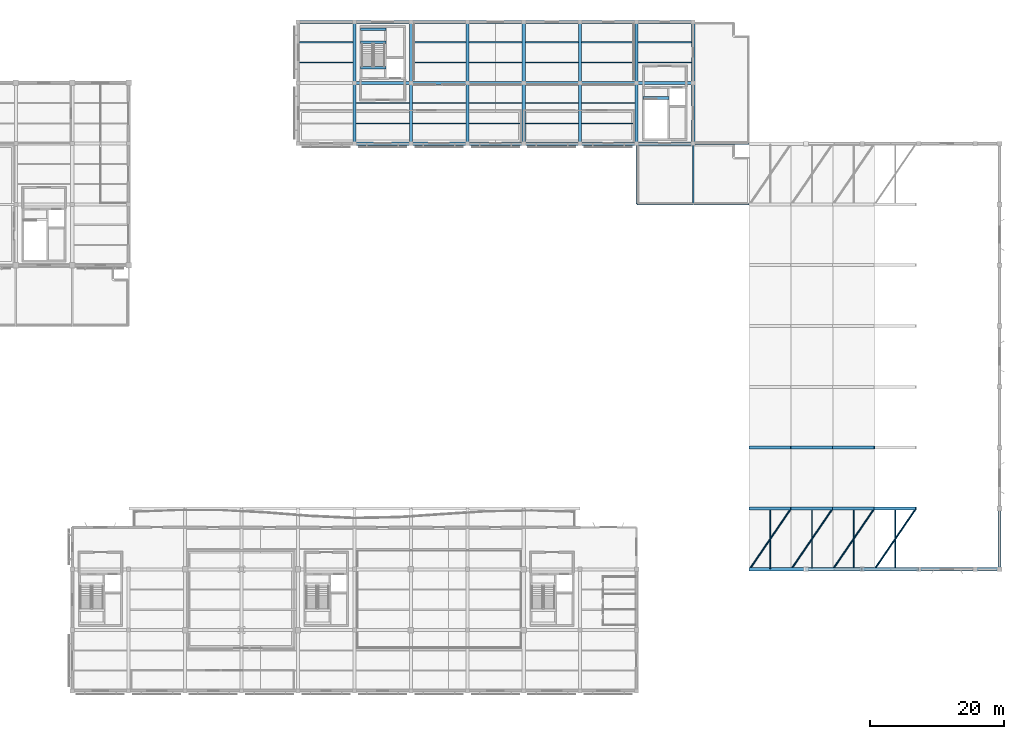
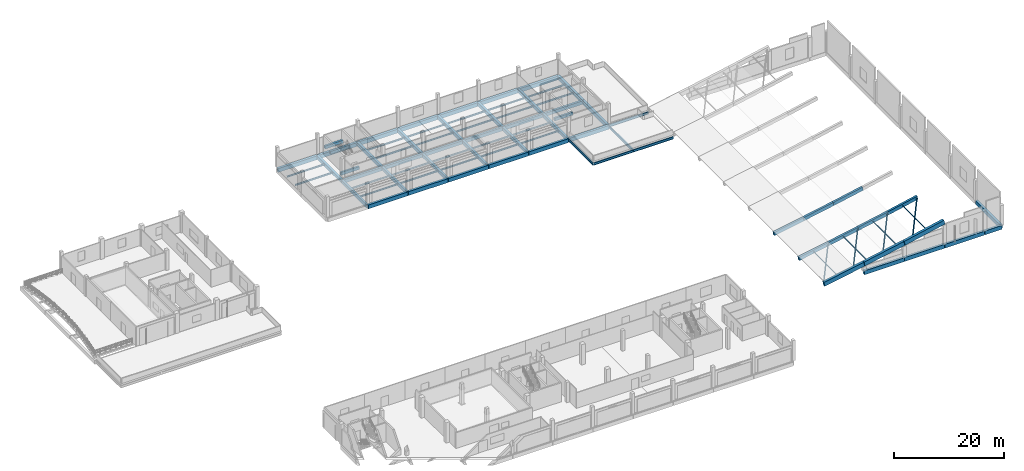
# One storey, part 3 of 34: 79 beams, 8 members.
"""IFC4 building model written with IfcOpenShell, lengths in metres."""

from ifc_helpers import new_model, si_unit, direction, frame, origin, origin_2d, place, context, subcontext, project, spatial, rectangle, hollow_circle, i_section, extrude, material, material_profile, profile_set, type_object, element, save


model = new_model("IFC4")

# Units and contexts
model_context = context("Model", 3, precision=1e-05, world=origin(), true_north=direction((0.0, 1.0)))
body_context = subcontext(model_context, "Body", "Model", "MODEL_VIEW")
ifc_project = project(units=[si_unit("LENGTHUNIT", "METRE"), si_unit("AREAUNIT", "SQUARE_METRE"), si_unit("VOLUMEUNIT", "CUBIC_METRE"), si_unit("PLANEANGLEUNIT", "RADIAN"), si_unit("MASSUNIT", "GRAM", prefix="KILO")], contexts=[model_context])

# Site, building, storey
site_placement = place(None, origin())
site = spatial("IfcSite", under=ifc_project, at=site_placement, CompositionType="ELEMENT")
building_placement = place(site_placement, origin())
building = spatial("IfcBuilding", under=site, at=building_placement, Name="Khurvash Pelagic Aquarium", CompositionType="ELEMENT")
storey_placement = place(building_placement, frame((0.0, 0.0, 15.60009765625)))
storey = spatial("IfcBuildingStorey", under=building, at=storey_placement, Name="L03", CompositionType="ELEMENT", Elevation=15.60009765625)

# Beams
ifc_material_1 = material(Name="Concrete C35/45", Category="concrete")
ifc_material_profile_1 = material_profile(ifc_material_1, rectangle(XDim=0.449951171875, YDim=0.75, at=origin_2d()), Name="RC450X750")
ifc_profile_set_1 = profile_set([ifc_material_profile_1], Name="Concrete C35/45")
beam_type_1 = type_object("IfcBeamType", Name="BM-04", PredefinedType="BEAM", material=ifc_profile_set_1)
for number, where, z_axis, x_axis, name in (
    (1, (67.239990234375, 93.10009765625, -0.695068359375), (1.0, 0.0, 0.0), (0.0, 1.0, 0.0), "L03 Primary Girder BM-04 00889"),
    (2, (75.639892578125, 93.10009765625, -0.695068359375), (1.0, 0.0, 0.0), (0.0, 1.0, 0.0), "L03 Primary Girder BM-04 00890"),
    (3, (84.0400390625, 93.10009765625, -0.695068359375), (1.0, 0.0, 0.0), (0.0, 1.0, 0.0), "L03 Primary Girder BM-04 00891"),
    (4, (92.43994140625, 93.10009765625, -0.695068359375), (1.0, 0.0, 0.0), (0.0, 1.0, 0.0), "L03 Primary Girder BM-04 00892"),
):
    element("IfcBeam", number, at=place(storey_placement, frame(where, z_axis=z_axis, x_axis=x_axis)), inside=storey, type_object=beam_type_1, Name=name, PredefinedType="BEAM", context=body_context, shape_type="SweptSolid", body=[
        extrude(rectangle(XDim=0.449951171875, YDim=0.75, at=origin_2d()), origin(), (0.0, 0.0, 1.0), 8.320068359375),
    ])
beam_1_placement = place(storey_placement, frame((100.840087890625, 93.10009765625, -0.695068359375), z_axis=(1.0, 0.0, 0.0), x_axis=(0.0, 1.0, 0.0)))
element("IfcBeam", 5, at=beam_1_placement, inside=storey, type_object=beam_type_1, Name="L03 Primary Girder BM-04 00893", PredefinedType="BEAM", context=body_context, shape_type="SweptSolid", body=[
    extrude(rectangle(XDim=0.449951171875, YDim=0.75, at=origin_2d()), origin(), (0.0, 0.0, 1.0), 8.31982421875),
])
beam_2_placement = place(storey_placement, frame((109.239990234375, 93.10009765625, -0.695068359375), z_axis=(1.0, 0.0, 0.0), x_axis=(0.0, 1.0, 0.0)))
element("IfcBeam", 6, at=beam_2_placement, inside=storey, type_object=beam_type_1, Name="L03 Primary Girder BM-04 00894", PredefinedType="BEAM", context=body_context, shape_type="SweptSolid", body=[
    extrude(rectangle(XDim=0.449951171875, YDim=0.75, at=origin_2d()), origin(), (0.0, 0.0, 1.0), 8.320068359375),
])
beam_3_placement = place(storey_placement, frame((67.199951171875, 84.090087890625, -0.675048828125), z_axis=(0.0, 1.0, 0.0), x_axis=(-1.0, 0.0, 0.0)))
element("IfcBeam", 7, at=beam_3_placement, inside=storey, type_object=beam_type_1, Name="L03 Primary Girder BM-04 00933", PredefinedType="BEAM", context=body_context, shape_type="SweptSolid", body=[
    extrude(rectangle(XDim=0.449951171875, YDim=0.75, at=origin_2d()), origin(), (0.0, 0.0, 1.0), 8.969970703125),
])
beam_4_placement = place(storey_placement, frame((67.199951171875, 93.139892578125, -0.675048828125), z_axis=(0.0, 1.0, 0.0), x_axis=(-1.0, 0.0, 0.0)))
element("IfcBeam", 8, at=beam_4_placement, inside=storey, type_object=beam_type_1, Name="L03 Primary Girder BM-04 00934", PredefinedType="BEAM", context=body_context, shape_type="SweptSolid", body=[
    extrude(rectangle(XDim=0.449951171875, YDim=0.75, at=origin_2d()), origin(), (0.0, 0.0, 1.0), 8.97021484375),
])
beam_5_placement = place(storey_placement, frame((75.60009765625, 84.090087890625, -0.675048828125), z_axis=(0.0, 1.0, 0.0), x_axis=(-1.0, 0.0, 0.0)))
element("IfcBeam", 9, at=beam_5_placement, inside=storey, type_object=beam_type_1, Name="L03 Primary Girder BM-04 00938", PredefinedType="BEAM", context=body_context, shape_type="SweptSolid", body=[
    extrude(rectangle(XDim=0.449951171875, YDim=0.75, at=origin_2d()), origin(), (0.0, 0.0, 1.0), 8.969970703125),
])
beam_6_placement = place(storey_placement, frame((75.60009765625, 93.139892578125, -0.675048828125), z_axis=(0.0, 1.0, 0.0), x_axis=(-1.0, 0.0, 0.0)))
element("IfcBeam", 10, at=beam_6_placement, inside=storey, type_object=beam_type_1, Name="L03 Primary Girder BM-04 00939", PredefinedType="BEAM", context=body_context, shape_type="SweptSolid", body=[
    extrude(rectangle(XDim=0.449951171875, YDim=0.75, at=origin_2d()), origin(), (0.0, 0.0, 1.0), 8.97021484375),
])
beam_7_placement = place(storey_placement, frame((84.0, 84.090087890625, -0.675048828125), z_axis=(0.0, 1.0, 0.0), x_axis=(-1.0, 0.0, 0.0)))
element("IfcBeam", 11, at=beam_7_placement, inside=storey, type_object=beam_type_1, Name="L03 Primary Girder BM-04 00943", PredefinedType="BEAM", context=body_context, shape_type="SweptSolid", body=[
    extrude(rectangle(XDim=0.449951171875, YDim=0.75, at=origin_2d()), origin(), (0.0, 0.0, 1.0), 8.969970703125),
])
beam_8_placement = place(storey_placement, frame((84.0, 93.139892578125, -0.675048828125), z_axis=(0.0, 1.0, 0.0), x_axis=(-1.0, 0.0, 0.0)))
element("IfcBeam", 12, at=beam_8_placement, inside=storey, type_object=beam_type_1, Name="L03 Primary Girder BM-04 00944", PredefinedType="BEAM", context=body_context, shape_type="SweptSolid", body=[
    extrude(rectangle(XDim=0.449951171875, YDim=0.75, at=origin_2d()), origin(), (0.0, 0.0, 1.0), 8.97021484375),
])
beam_9_placement = place(storey_placement, frame((92.39990234375, 84.090087890625, -0.675048828125), z_axis=(0.0, 1.0, 0.0), x_axis=(-1.0, 0.0, 0.0)))
element("IfcBeam", 13, at=beam_9_placement, inside=storey, type_object=beam_type_1, Name="L03 Primary Girder BM-04 00948", PredefinedType="BEAM", context=body_context, shape_type="SweptSolid", body=[
    extrude(rectangle(XDim=0.449951171875, YDim=0.75, at=origin_2d()), origin(), (0.0, 0.0, 1.0), 8.969970703125),
])
beam_10_placement = place(storey_placement, frame((92.39990234375, 93.139892578125, -0.675048828125), z_axis=(0.0, 1.0, 0.0), x_axis=(-1.0, 0.0, 0.0)))
element("IfcBeam", 14, at=beam_10_placement, inside=storey, type_object=beam_type_1, Name="L03 Primary Girder BM-04 00949", PredefinedType="BEAM", context=body_context, shape_type="SweptSolid", body=[
    extrude(rectangle(XDim=0.449951171875, YDim=0.75, at=origin_2d()), origin(), (0.0, 0.0, 1.0), 8.97021484375),
])
beam_11_placement = place(storey_placement, frame((100.800048828125, 84.090087890625, -0.675048828125), z_axis=(0.0, 1.0, 0.0), x_axis=(-1.0, 0.0, 0.0)))
element("IfcBeam", 15, at=beam_11_placement, inside=storey, type_object=beam_type_1, Name="L03 Primary Girder BM-04 00952", PredefinedType="BEAM", context=body_context, shape_type="SweptSolid", body=[
    extrude(rectangle(XDim=0.449951171875, YDim=0.75, at=origin_2d()), origin(), (0.0, 0.0, 1.0), 8.969970703125),
])
beam_12_placement = place(storey_placement, frame((100.800048828125, 93.139892578125, -0.675048828125), z_axis=(0.0, 1.0, 0.0), x_axis=(-1.0, 0.0, 0.0)))
element("IfcBeam", 16, at=beam_12_placement, inside=storey, type_object=beam_type_1, Name="L03 Primary Girder BM-04 00953", PredefinedType="BEAM", context=body_context, shape_type="SweptSolid", body=[
    extrude(rectangle(XDim=0.449951171875, YDim=0.75, at=origin_2d()), origin(), (0.0, 0.0, 1.0), 8.97021484375),
])
beam_13_placement = place(storey_placement, frame((109.199951171875, 84.090087890625, -0.675048828125), z_axis=(0.0, 1.0, 0.0), x_axis=(-1.0, 0.0, 0.0)))
element("IfcBeam", 17, at=beam_13_placement, inside=storey, type_object=beam_type_1, Name="L03 Primary Girder BM-04 00956", PredefinedType="BEAM", context=body_context, shape_type="SweptSolid", body=[
    extrude(rectangle(XDim=0.449951171875, YDim=0.75, at=origin_2d()), origin(), (0.0, 0.0, 1.0), 8.969970703125),
])
beam_14_placement = place(storey_placement, frame((109.199951171875, 93.139892578125, -0.675048828125), z_axis=(0.0, 1.0, 0.0), x_axis=(-1.0, 0.0, 0.0)))
element("IfcBeam", 18, at=beam_14_placement, inside=storey, type_object=beam_type_1, Name="L03 Primary Girder BM-04 00957", PredefinedType="BEAM", context=body_context, shape_type="SweptSolid", body=[
    extrude(rectangle(XDim=0.449951171875, YDim=0.75, at=origin_2d()), origin(), (0.0, 0.0, 1.0), 8.97021484375),
])
ifc_material_profile_2 = material_profile(ifc_material_1, rectangle(XDim=0.39990234375, YDim=0.64990234375, at=origin_2d()), Name="RC400X650")
ifc_profile_set_2 = profile_set([ifc_material_profile_2], Name="Concrete C35/45")
beam_type_2 = type_object("IfcBeamType", Name="BM-05", PredefinedType="BEAM", material=ifc_profile_set_2)
for number, where, z_axis, x_axis, name in (
    (19, (68.080078125, 95.320068359375, -0.625), (1.0, 0.0, 0.0), (0.0, 1.0, 0.0), "L03 Stair ST-04 Header Trimmer Beam BM-05"),
    (20, (68.080078125, 99.139892578125, 1.724853515625), (1.0, 0.0, 0.0), (0.0, 1.0, 0.0), "L03 Stair ST-04 Mid-Landing Trimmer Beam BM-05"),
    (21, (68.080078125, 101.080078125, 1.724853515625), (1.0, 0.0, 0.0), (0.0, 1.0, 0.0), "L03 Stair ST-04 Mid-Landing Trimmer Beam BM-05"),
):
    element("IfcBeam", number, at=place(storey_placement, frame(where, z_axis=z_axis, x_axis=x_axis)), inside=storey, type_object=beam_type_2, Name=name, PredefinedType="BEAM", context=body_context, shape_type="SweptSolid", body=[
        extrude(rectangle(XDim=0.39990234375, YDim=0.64990234375, at=origin_2d()), origin(), (0.0, 0.0, 1.0), 3.83984375),
    ])
beam_15_placement = place(storey_placement, frame((110.179931640625, 90.830078125, -0.625), z_axis=(1.0, 0.0, 0.0), x_axis=(0.0, 1.0, 0.0)))
element("IfcBeam", 22, at=beam_15_placement, inside=storey, type_object=beam_type_2, Name="L03 Stair ST-06 Header Trimmer Beam BM-05", PredefinedType="BEAM", context=body_context, shape_type="SweptSolid", body=[
    extrude(rectangle(XDim=0.39990234375, YDim=0.64990234375, at=origin_2d()), origin(), (0.0, 0.0, 1.0), 3.840087890625),
])
ifc_material_2 = material(Name="Steel-fibre concrete C40/50", Category="concrete")
ifc_material_profile_3 = material_profile(ifc_material_2, rectangle(XDim=0.449951171875, YDim=0.75, at=origin_2d()), Name="RC450X750")
ifc_profile_set_3 = profile_set([ifc_material_profile_3], Name="Steel-fibre concrete C40/50")
beam_type_3 = type_object("IfcBeamType", Name="BM-06", PredefinedType="BEAM", material=ifc_profile_set_3)
beam_16_placement = place(storey_placement, frame((126.010009765625, 29.75, 0.072998046875), z_axis=(0.983411085361, 0.0, 0.181390840973), x_axis=(0.0, 1.0, 0.0)))
element("IfcBeam", 23, at=beam_16_placement, inside=storey, type_object=beam_type_3, Name="Wave Shell Arch Rib BM-06 Grid E Seg 1", PredefinedType="BEAM", context=body_context, shape_type="SweptSolid", body=[
    extrude(rectangle(XDim=0.449951171875, YDim=0.75, at=origin_2d()), origin(), (0.0, 0.0, 1.0), 6.2841796875),
])
beam_17_placement = place(storey_placement, frame((132.2099609375, 29.75, 1.212890625), z_axis=(0.982256617998, 0.0, 0.187541825733), x_axis=(0.0, 1.0, 0.0)))
element("IfcBeam", 24, at=beam_17_placement, inside=storey, type_object=beam_type_3, Name="Wave Shell Arch Rib BM-06 Grid E Seg 2", PredefinedType="BEAM", context=body_context, shape_type="SweptSolid", body=[
    extrude(rectangle(XDim=0.449951171875, YDim=0.75, at=origin_2d()), origin(), (0.0, 0.0, 1.0), 6.29150390625),
])
beam_18_placement = place(storey_placement, frame((138.409912109375, 29.75, 2.392822265625), z_axis=(0.980459825259, 0.0, 0.196719422157), x_axis=(0.0, 1.0, 0.0)))
element("IfcBeam", 25, at=beam_18_placement, inside=storey, type_object=beam_type_3, Name="Wave Shell Arch Rib BM-06 Grid E Seg 3", PredefinedType="BEAM", context=body_context, shape_type="SweptSolid", body=[
    extrude(rectangle(XDim=0.449951171875, YDim=0.75, at=origin_2d()), origin(), (0.0, 0.0, 1.0), 6.30322265625),
])
beam_19_placement = place(storey_placement, frame((144.610107421875, 29.75, 3.6328125), z_axis=(0.977938462299, 0.0, 0.208893187913), x_axis=(0.0, 1.0, 0.0)))
element("IfcBeam", 26, at=beam_19_placement, inside=storey, type_object=beam_type_3, Name="Wave Shell Arch Rib BM-06 Grid E Seg 4", PredefinedType="BEAM", context=body_context, shape_type="SweptSolid", body=[
    extrude(rectangle(XDim=0.449951171875, YDim=0.75, at=origin_2d()), origin(), (0.0, 0.0, 1.0), 6.3193359375),
])
beam_20_placement = place(storey_placement, frame((126.010009765625, 38.800048828125, 0.072998046875), z_axis=(0.983411085361, 0.0, 0.181390840973), x_axis=(0.0, 1.0, 0.0)))
element("IfcBeam", 27, at=beam_20_placement, inside=storey, type_object=beam_type_3, Name="Wave Shell Arch Rib BM-06 Grid F Seg 1", PredefinedType="BEAM", context=body_context, shape_type="SweptSolid", body=[
    extrude(rectangle(XDim=0.449951171875, YDim=0.75, at=origin_2d()), origin(), (0.0, 0.0, 1.0), 6.2841796875),
])
beam_21_placement = place(storey_placement, frame((132.2099609375, 38.800048828125, 1.212890625), z_axis=(0.982256617998, 0.0, 0.187541825733), x_axis=(0.0, 1.0, 0.0)))
element("IfcBeam", 28, at=beam_21_placement, inside=storey, type_object=beam_type_3, Name="Wave Shell Arch Rib BM-06 Grid F Seg 2", PredefinedType="BEAM", context=body_context, shape_type="SweptSolid", body=[
    extrude(rectangle(XDim=0.449951171875, YDim=0.75, at=origin_2d()), origin(), (0.0, 0.0, 1.0), 6.29150390625),
])
beam_22_placement = place(storey_placement, frame((138.409912109375, 38.800048828125, 2.392822265625), z_axis=(0.980459825259, 0.0, 0.196719422157), x_axis=(0.0, 1.0, 0.0)))
element("IfcBeam", 29, at=beam_22_placement, inside=storey, type_object=beam_type_3, Name="Wave Shell Arch Rib BM-06 Grid F Seg 3", PredefinedType="BEAM", context=body_context, shape_type="SweptSolid", body=[
    extrude(rectangle(XDim=0.449951171875, YDim=0.75, at=origin_2d()), origin(), (0.0, 0.0, 1.0), 6.30322265625),
])
ifc_material_3 = material(Name="Steel ASTM A992 Grade 50", Category="steel")
ifc_material_profile_4 = material_profile(ifc_material_3, i_section(OverallWidth=0.214111328125, OverallDepth=0.549072265625, WebThickness=0.0146484375, FlangeThickness=0.023681640625, at=origin_2d()), Name="W21X93")
ifc_profile_set_4 = profile_set([ifc_material_profile_4], Name="Steel ASTM A992 Grade 50")
beam_type_4 = type_object("IfcBeamType", Name="BM-11", PredefinedType="BEAM", material=ifc_profile_set_4)
for number, where, z_axis, x_axis, name in (
    (30, (109.239990234375, 75.0, -0.594482421875), (1.0, 0.0, 0.0), (0.0, 1.0, 0.0), "L03 Roof Girder BM-11 01241"),
    (31, (117.639892578125, 75.0, -0.594482421875), (1.0, 0.0, 0.0), (0.0, 1.0, 0.0), "L03 Roof Girder BM-11 01242"),
    (32, (117.639892578125, 84.050048828125, -0.594482421875), (1.0, 0.0, 0.0), (0.0, 1.0, 0.0), "L03 Roof Girder BM-11 01243"),
):
    element("IfcBeam", number, at=place(storey_placement, frame(where, z_axis=z_axis, x_axis=x_axis)), inside=storey, type_object=beam_type_4, Name=name, PredefinedType="BEAM", context=body_context, shape_type="SweptSolid", body=[
        extrude(i_section(OverallWidth=0.214111328125, OverallDepth=0.549072265625, WebThickness=0.0146484375, FlangeThickness=0.023681640625, at=origin_2d()), origin(), (0.0, 0.0, 1.0), 8.320068359375),
    ])
for number, where, z_axis, x_axis, name in (
    (33, (109.199951171875, 75.0400390625, -0.594482421875), (0.0, 1.0, 0.0), (-1.0, 0.0, 0.0), "L03 Roof Girder BM-11 01248"),
    (34, (117.60009765625, 75.0400390625, -0.594482421875), (0.0, 1.0, 0.0), (-1.0, 0.0, 0.0), "L03 Roof Girder BM-11 01249"),
):
    element("IfcBeam", number, at=place(storey_placement, frame(where, z_axis=z_axis, x_axis=x_axis)), inside=storey, type_object=beam_type_4, Name=name, PredefinedType="BEAM", context=body_context, shape_type="SweptSolid", body=[
        extrude(i_section(OverallWidth=0.214111328125, OverallDepth=0.549072265625, WebThickness=0.0146484375, FlangeThickness=0.023681640625, at=origin_2d()), origin(), (0.0, 0.0, 1.0), 8.969970703125),
    ])

# Members
ifc_material_4 = material(Name="Steel S355J2", Category="steel")
ifc_material_profile_5 = material_profile(ifc_material_4, hollow_circle(Radius=0.109619140625, WallThickness=0.010009765625, at=origin_2d()), Name="CHS219X10")
ifc_profile_set_5 = profile_set([ifc_material_profile_5], Name="Steel S355J2")
member_type_1 = type_object("IfcMemberType", Name="CL-01", PredefinedType="COLLAR", material=ifc_profile_set_5)
for number, where, z_axis, x_axis, name in (
    (35, (129.10009765625, 20.719970703125, 0.56982421875), (0.0, 1.0, 0.0), (-1.0, 0.0, 0.0), "Wave Shell Collar Tie CL-01 00001"),
    (36, (135.300048828125, 20.719970703125, 1.72998046875), (0.0, 1.0, 0.0), (-1.0, 0.0, 0.0), "Wave Shell Collar Tie CL-01 00003"),
    (37, (141.5, 20.719970703125, 2.93994140625), (0.0, 1.0, 0.0), (-1.0, 0.0, 0.0), "Wave Shell Collar Tie CL-01 00005"),
    (38, (147.699951171875, 20.719970703125, 4.219970703125), (0.0, 1.0, 0.0), (-1.0, 0.0, 0.0), "Wave Shell Collar Tie CL-01 00007"),
):
    element("IfcMember", number, at=place(storey_placement, frame(where, z_axis=z_axis, x_axis=x_axis)), inside=storey, type_object=member_type_1, Name=name, PredefinedType="COLLAR", context=body_context, shape_type="SweptSolid", body=[
        extrude(hollow_circle(Radius=0.109619140625, WallThickness=0.010009765625, at=origin_2d()), origin(), (0.0, 0.0, 1.0), 9.010009765625),
    ])

# Beams
ifc_material_profile_6 = material_profile(ifc_material_4, i_section(OverallWidth=0.169921875, OverallDepth=0.360107421875, WebThickness=0.008056640625, FlangeThickness=0.0126953125, at=origin_2d()), Name="IPE360")
ifc_profile_set_6 = profile_set([ifc_material_profile_6], Name="Steel S355J2")
beam_type_5 = type_object("IfcBeamType", Name="JS-04", PredefinedType="JOIST", material=ifc_profile_set_6)
for number, where, z_axis, x_axis, name in (
    (39, (59.050048828125, 96.116943359375, -0.47998046875), (1.0, 0.0, 0.0), (0.0, 1.0, 0.0), "L03 Floor Joist JS-04 00998"),
    (40, (59.050048828125, 99.133056640625, -0.47998046875), (1.0, 0.0, 0.0), (0.0, 1.0, 0.0), "L03 Floor Joist JS-04 00999"),
):
    element("IfcBeam", number, at=place(storey_placement, frame(where, z_axis=z_axis, x_axis=x_axis)), inside=storey, type_object=beam_type_5, Name=name, PredefinedType="JOIST", context=body_context, shape_type="SweptSolid", body=[
        extrude(i_section(OverallWidth=0.169921875, OverallDepth=0.360107421875, WebThickness=0.008056640625, FlangeThickness=0.0126953125, at=origin_2d()), origin(), (0.0, 0.0, 1.0), 7.925048828125),
    ])
for number, where, z_axis, x_axis, name in (
    (41, (67.425048828125, 87.06689453125, -0.47998046875), (1.0, 0.0, 0.0), (0.0, 1.0, 0.0), "L03 Floor Joist JS-04 01006"),
    (42, (67.425048828125, 90.0830078125, -0.47998046875), (1.0, 0.0, 0.0), (0.0, 1.0, 0.0), "L03 Floor Joist JS-04 01007"),
    (43, (75.824951171875, 87.06689453125, -0.47998046875), (1.0, 0.0, 0.0), (0.0, 1.0, 0.0), "L03 Floor Joist JS-04 01014"),
    (44, (75.824951171875, 90.0830078125, -0.47998046875), (1.0, 0.0, 0.0), (0.0, 1.0, 0.0), "L03 Floor Joist JS-04 01015"),
    (45, (75.824951171875, 96.116943359375, -0.47998046875), (1.0, 0.0, 0.0), (0.0, 1.0, 0.0), "L03 Floor Joist JS-04 01016"),
    (46, (75.824951171875, 99.133056640625, -0.47998046875), (1.0, 0.0, 0.0), (0.0, 1.0, 0.0), "L03 Floor Joist JS-04 01017"),
    (47, (84.22509765625, 87.06689453125, -0.47998046875), (1.0, 0.0, 0.0), (0.0, 1.0, 0.0), "L03 Floor Joist JS-04 01024"),
    (48, (84.22509765625, 90.0830078125, -0.47998046875), (1.0, 0.0, 0.0), (0.0, 1.0, 0.0), "L03 Floor Joist JS-04 01025"),
    (49, (84.22509765625, 96.116943359375, -0.47998046875), (1.0, 0.0, 0.0), (0.0, 1.0, 0.0), "L03 Floor Joist JS-04 01026"),
    (50, (84.22509765625, 99.133056640625, -0.47998046875), (1.0, 0.0, 0.0), (0.0, 1.0, 0.0), "L03 Floor Joist JS-04 01027"),
    (51, (92.625, 87.06689453125, -0.47998046875), (1.0, 0.0, 0.0), (0.0, 1.0, 0.0), "L03 Floor Joist JS-04 01030"),
    (52, (92.625, 90.0830078125, -0.47998046875), (1.0, 0.0, 0.0), (0.0, 1.0, 0.0), "L03 Floor Joist JS-04 01031"),
    (53, (92.625, 96.116943359375, -0.47998046875), (1.0, 0.0, 0.0), (0.0, 1.0, 0.0), "L03 Floor Joist JS-04 01032"),
    (54, (92.625, 99.133056640625, -0.47998046875), (1.0, 0.0, 0.0), (0.0, 1.0, 0.0), "L03 Floor Joist JS-04 01033"),
):
    element("IfcBeam", number, at=place(storey_placement, frame(where, z_axis=z_axis, x_axis=x_axis)), inside=storey, type_object=beam_type_5, Name=name, PredefinedType="JOIST", context=body_context, shape_type="SweptSolid", body=[
        extrude(i_section(OverallWidth=0.169921875, OverallDepth=0.360107421875, WebThickness=0.008056640625, FlangeThickness=0.0126953125, at=origin_2d()), origin(), (0.0, 0.0, 1.0), 7.949951171875),
    ])
for number, where, z_axis, x_axis, name in (
    (55, (101.02490234375, 87.06689453125, -0.47998046875), (1.0, 0.0, 0.0), (0.0, 1.0, 0.0), "L03 Floor Joist JS-04 01038"),
    (56, (101.02490234375, 90.0830078125, -0.47998046875), (1.0, 0.0, 0.0), (0.0, 1.0, 0.0), "L03 Floor Joist JS-04 01039"),
    (57, (101.02490234375, 96.116943359375, -0.47998046875), (1.0, 0.0, 0.0), (0.0, 1.0, 0.0), "L03 Floor Joist JS-04 01040"),
    (58, (101.02490234375, 99.133056640625, -0.47998046875), (1.0, 0.0, 0.0), (0.0, 1.0, 0.0), "L03 Floor Joist JS-04 01041"),
):
    element("IfcBeam", number, at=place(storey_placement, frame(where, z_axis=z_axis, x_axis=x_axis)), inside=storey, type_object=beam_type_5, Name=name, PredefinedType="JOIST", context=body_context, shape_type="SweptSolid", body=[
        extrude(i_section(OverallWidth=0.169921875, OverallDepth=0.360107421875, WebThickness=0.008056640625, FlangeThickness=0.0126953125, at=origin_2d()), origin(), (0.0, 0.0, 1.0), 7.9501953125),
    ])
for number, where, z_axis, x_axis, name in (
    (59, (109.425048828125, 96.116943359375, -0.47998046875), (1.0, 0.0, 0.0), (0.0, 1.0, 0.0), "L03 Floor Joist JS-04 01042"),
    (60, (109.425048828125, 99.133056640625, -0.47998046875), (1.0, 0.0, 0.0), (0.0, 1.0, 0.0), "L03 Floor Joist JS-04 01043"),
):
    element("IfcBeam", number, at=place(storey_placement, frame(where, z_axis=z_axis, x_axis=x_axis)), inside=storey, type_object=beam_type_5, Name=name, PredefinedType="JOIST", context=body_context, shape_type="SweptSolid", body=[
        extrude(i_section(OverallWidth=0.169921875, OverallDepth=0.360107421875, WebThickness=0.008056640625, FlangeThickness=0.0126953125, at=origin_2d()), origin(), (0.0, 0.0, 1.0), 7.925048828125),
    ])
ifc_material_5 = material(Name="Concrete C40/50", Category="concrete")
ifc_material_profile_7 = material_profile(ifc_material_5, rectangle(XDim=0.550048828125, YDim=0.949951171875, at=origin_2d()), Name="RC550X950")
ifc_profile_set_7 = profile_set([ifc_material_profile_7], Name="Concrete C40/50")
beam_type_6 = type_object("IfcBeamType", Name="SEB-02", PredefinedType="SPANDREL", material=ifc_profile_set_7)
beam_23_placement = place(storey_placement, frame((126.0400390625, 20.699951171875, -0.025146484375), z_axis=(0.982892098208, 0.0, 0.184182309902), x_axis=(0.0, 1.0, 0.0)))
element("IfcBeam", 61, at=beam_23_placement, inside=storey, type_object=beam_type_6, Name="Wave Shell South Raking Spandrel Edge Beam SEB-02", PredefinedType="SPANDREL", context=body_context, shape_type="SweptSolid", body=[
    extrude(rectangle(XDim=0.550048828125, YDim=0.949951171875, at=origin_2d()), origin(), (0.0, 0.0, 1.0), 8.46484375),
])
beam_24_placement = place(storey_placement, frame((134.43994140625, 20.699951171875, 1.533935546875), z_axis=(0.98110201071, 0.0, 0.193491200269), x_axis=(0.0, 1.0, 0.0)))
element("IfcBeam", 62, at=beam_24_placement, inside=storey, type_object=beam_type_6, Name="Wave Shell South Raking Spandrel Edge Beam SEB-02", PredefinedType="SPANDREL", context=body_context, shape_type="SweptSolid", body=[
    extrude(rectangle(XDim=0.550048828125, YDim=0.949951171875, at=origin_2d()), origin(), (0.0, 0.0, 1.0), 8.480224609375),
])
beam_25_placement = place(storey_placement, frame((142.840087890625, 20.699951171875, 3.1748046875), z_axis=(0.978086284867, 0.0, 0.20819995042), x_axis=(0.0, 1.0, 0.0)))
element("IfcBeam", 63, at=beam_25_placement, inside=storey, type_object=beam_type_6, Name="Wave Shell South Raking Spandrel Edge Beam SEB-02", PredefinedType="SPANDREL", context=body_context, shape_type="SweptSolid", body=[
    extrude(rectangle(XDim=0.550048828125, YDim=0.949951171875, at=origin_2d()), origin(), (0.0, 0.0, 1.0), 8.50634765625),
])
ifc_material_profile_8 = material_profile(ifc_material_5, rectangle(XDim=0.5, YDim=0.85009765625, at=origin_2d()), Name="RC500X850")
ifc_profile_set_8 = profile_set([ifc_material_profile_8], Name="Concrete C40/50")
beam_type_7 = type_object("IfcBeamType", Name="SEB-03", PredefinedType="SPANDREL", material=ifc_profile_set_8)
for number, where, z_axis, x_axis, name in (
    (64, (67.239990234375, 84.050048828125, -0.7451171875), (1.0, 0.0, 0.0), (0.0, 1.0, 0.0), "L03 Primary Girder SEB-03 00879"),
    (65, (75.639892578125, 84.050048828125, -0.7451171875), (1.0, 0.0, 0.0), (0.0, 1.0, 0.0), "L03 Primary Girder SEB-03 00880"),
    (66, (84.0400390625, 84.050048828125, -0.7451171875), (1.0, 0.0, 0.0), (0.0, 1.0, 0.0), "L03 Primary Girder SEB-03 00881"),
    (67, (92.43994140625, 84.050048828125, -0.7451171875), (1.0, 0.0, 0.0), (0.0, 1.0, 0.0), "L03 Primary Girder SEB-03 00882"),
):
    element("IfcBeam", number, at=place(storey_placement, frame(where, z_axis=z_axis, x_axis=x_axis)), inside=storey, type_object=beam_type_7, Name=name, PredefinedType="SPANDREL", context=body_context, shape_type="SweptSolid", body=[
        extrude(rectangle(XDim=0.5, YDim=0.85009765625, at=origin_2d()), origin(), (0.0, 0.0, 1.0), 8.320068359375),
    ])
beam_26_placement = place(storey_placement, frame((100.840087890625, 84.050048828125, -0.7451171875), z_axis=(1.0, 0.0, 0.0), x_axis=(0.0, 1.0, 0.0)))
element("IfcBeam", 68, at=beam_26_placement, inside=storey, type_object=beam_type_7, Name="L03 Primary Girder SEB-03 00883", PredefinedType="SPANDREL", context=body_context, shape_type="SweptSolid", body=[
    extrude(rectangle(XDim=0.5, YDim=0.85009765625, at=origin_2d()), origin(), (0.0, 0.0, 1.0), 8.31982421875),
])
beam_27_placement = place(storey_placement, frame((109.239990234375, 84.050048828125, -0.7451171875), z_axis=(1.0, 0.0, 0.0), x_axis=(0.0, 1.0, 0.0)))
element("IfcBeam", 69, at=beam_27_placement, inside=storey, type_object=beam_type_7, Name="L03 Primary Girder SEB-03 00884", PredefinedType="SPANDREL", context=body_context, shape_type="SweptSolid", body=[
    extrude(rectangle(XDim=0.5, YDim=0.85009765625, at=origin_2d()), origin(), (0.0, 0.0, 1.0), 8.320068359375),
])
beam_28_placement = place(storey_placement, frame((58.840087890625, 102.14990234375, -0.7451171875), z_axis=(1.0, 0.0, 0.0), x_axis=(0.0, 1.0, 0.0)))
element("IfcBeam", 70, at=beam_28_placement, inside=storey, type_object=beam_type_7, Name="L03 Primary Girder SEB-03 00895", PredefinedType="SPANDREL", context=body_context, shape_type="SweptSolid", body=[
    extrude(rectangle(XDim=0.5, YDim=0.85009765625, at=origin_2d()), origin(), (0.0, 0.0, 1.0), 8.31982421875),
])
for number, where, z_axis, x_axis, name in (
    (71, (67.239990234375, 102.14990234375, -0.7451171875), (1.0, 0.0, 0.0), (0.0, 1.0, 0.0), "L03 Primary Girder SEB-03 00896"),
    (72, (75.639892578125, 102.14990234375, -0.7451171875), (1.0, 0.0, 0.0), (0.0, 1.0, 0.0), "L03 Primary Girder SEB-03 00897"),
    (73, (84.0400390625, 102.14990234375, -0.7451171875), (1.0, 0.0, 0.0), (0.0, 1.0, 0.0), "L03 Primary Girder SEB-03 00898"),
    (74, (92.43994140625, 102.14990234375, -0.7451171875), (1.0, 0.0, 0.0), (0.0, 1.0, 0.0), "L03 Primary Girder SEB-03 00899"),
):
    element("IfcBeam", number, at=place(storey_placement, frame(where, z_axis=z_axis, x_axis=x_axis)), inside=storey, type_object=beam_type_7, Name=name, PredefinedType="SPANDREL", context=body_context, shape_type="SweptSolid", body=[
        extrude(rectangle(XDim=0.5, YDim=0.85009765625, at=origin_2d()), origin(), (0.0, 0.0, 1.0), 8.320068359375),
    ])
beam_29_placement = place(storey_placement, frame((100.840087890625, 102.14990234375, -0.7451171875), z_axis=(1.0, 0.0, 0.0), x_axis=(0.0, 1.0, 0.0)))
element("IfcBeam", 75, at=beam_29_placement, inside=storey, type_object=beam_type_7, Name="L03 Primary Girder SEB-03 00900", PredefinedType="SPANDREL", context=body_context, shape_type="SweptSolid", body=[
    extrude(rectangle(XDim=0.5, YDim=0.85009765625, at=origin_2d()), origin(), (0.0, 0.0, 1.0), 8.31982421875),
])
beam_30_placement = place(storey_placement, frame((109.239990234375, 102.14990234375, -0.7451171875), z_axis=(1.0, 0.0, 0.0), x_axis=(0.0, 1.0, 0.0)))
element("IfcBeam", 76, at=beam_30_placement, inside=storey, type_object=beam_type_7, Name="L03 Primary Girder SEB-03 00901", PredefinedType="SPANDREL", context=body_context, shape_type="SweptSolid", body=[
    extrude(rectangle(XDim=0.5, YDim=0.85009765625, at=origin_2d()), origin(), (0.0, 0.0, 1.0), 8.320068359375),
])
beam_31_placement = place(storey_placement, frame((117.60009765625, 84.090087890625, -0.72509765625), z_axis=(0.0, 1.0, 0.0), x_axis=(-1.0, 0.0, 0.0)))
element("IfcBeam", 77, at=beam_31_placement, inside=storey, type_object=beam_type_7, Name="L03 Primary Girder SEB-03 00958", PredefinedType="SPANDREL", context=body_context, shape_type="SweptSolid", body=[
    extrude(rectangle(XDim=0.5, YDim=0.85009765625, at=origin_2d()), origin(), (0.0, 0.0, 1.0), 8.969970703125),
])
beam_32_placement = place(storey_placement, frame((117.60009765625, 93.139892578125, -0.72509765625), z_axis=(0.0, 1.0, 0.0), x_axis=(-1.0, 0.0, 0.0)))
element("IfcBeam", 78, at=beam_32_placement, inside=storey, type_object=beam_type_7, Name="L03 Primary Girder SEB-03 00959", PredefinedType="SPANDREL", context=body_context, shape_type="SweptSolid", body=[
    extrude(rectangle(XDim=0.5, YDim=0.85009765625, at=origin_2d()), origin(), (0.0, 0.0, 1.0), 8.97021484375),
])
beam_33_placement = place(storey_placement, frame((134.43994140625, 20.699951171875, -0.425048828125), z_axis=(1.0, 0.0, 0.0), x_axis=(0.0, 1.0, 0.0)))
element("IfcBeam", 79, at=beam_33_placement, inside=storey, type_object=beam_type_7, Name="L03 Ocean Hall South Spandrel Tie Beam SEB-03", PredefinedType="SPANDREL", context=body_context, shape_type="SweptSolid", body=[
    extrude(rectangle(XDim=0.5, YDim=0.85009765625, at=origin_2d()), origin(), (0.0, 0.0, 1.0), 8.320068359375),
])
beam_34_placement = place(storey_placement, frame((142.840087890625, 20.699951171875, -0.425048828125), z_axis=(1.0, 0.0, 0.0), x_axis=(0.0, 1.0, 0.0)))
element("IfcBeam", 80, at=beam_34_placement, inside=storey, type_object=beam_type_7, Name="L03 Ocean Hall South Spandrel Tie Beam SEB-03", PredefinedType="SPANDREL", context=body_context, shape_type="SweptSolid", body=[
    extrude(rectangle(XDim=0.5, YDim=0.85009765625, at=origin_2d()), origin(), (0.0, 0.0, 1.0), 8.31982421875),
])
beam_35_placement = place(storey_placement, frame((151.239990234375, 20.699951171875, -0.425048828125), z_axis=(1.0, 0.0, 0.0), x_axis=(0.0, 1.0, 0.0)))
element("IfcBeam", 81, at=beam_35_placement, inside=storey, type_object=beam_type_7, Name="L03 Ocean Hall South Spandrel Tie Beam SEB-03", PredefinedType="SPANDREL", context=body_context, shape_type="SweptSolid", body=[
    extrude(rectangle(XDim=0.5, YDim=0.85009765625, at=origin_2d()), origin(), (0.0, 0.0, 1.0), 8.320068359375),
])
beam_36_placement = place(storey_placement, frame((159.639892578125, 20.699951171875, -0.425048828125), z_axis=(1.0, 0.0, 0.0), x_axis=(0.0, 1.0, 0.0)))
element("IfcBeam", 82, at=beam_36_placement, inside=storey, type_object=beam_type_7, Name="L03 Ocean Hall South Spandrel Tie Beam SEB-03", PredefinedType="SPANDREL", context=body_context, shape_type="SweptSolid", body=[
    extrude(rectangle(XDim=0.5, YDim=0.85009765625, at=origin_2d()), origin(), (0.0, 0.0, 1.0), 3.52001953125),
])
beam_37_placement = place(storey_placement, frame((163.199951171875, 20.739990234375, -0.425048828125), z_axis=(0.0, 1.0, 0.0), x_axis=(-1.0, 0.0, 0.0)))
element("IfcBeam", 83, at=beam_37_placement, inside=storey, type_object=beam_type_7, Name="L03 Ocean Hall East Spandrel Tie Beam SEB-03", PredefinedType="SPANDREL", context=body_context, shape_type="SweptSolid", body=[
    extrude(rectangle(XDim=0.5, YDim=0.85009765625, at=origin_2d()), origin(), (0.0, 0.0, 1.0), 8.969970703125),
])

# Members
ifc_material_profile_9 = material_profile(ifc_material_4, hollow_circle(Radius=0.136474609375, WallThickness=0.012451171875, at=origin_2d()), Name="CHS273X12")
ifc_profile_set_9 = profile_set([ifc_material_profile_9], Name="Steel S355J2")
member_type_2 = type_object("IfcMemberType", Name="SR-01", PredefinedType="STRUT", material=ifc_profile_set_9)
member_1_placement = place(storey_placement, frame((126.0400390625, 20.739990234375, 0.0), z_axis=(0.560507434639, 0.821542412578, 0.104400574952), x_axis=(-0.826056540079, 0.563587253753, 0.0)))
element("IfcMember", 84, at=member_1_placement, inside=storey, type_object=member_type_2, Name="Wave Shell Compression Strut SR-01 00002", PredefinedType="STRUT", context=body_context, shape_type="SweptSolid", body=[
    extrude(hollow_circle(Radius=0.136474609375, WallThickness=0.012451171875, at=origin_2d()), origin(), (0.0, 0.0, 1.0), 10.91845703125),
])
member_2_placement = place(storey_placement, frame((132.239990234375, 20.739990234375, 1.139892578125), z_axis=(0.56030453922, 0.821212265657, 0.108024247569), x_axis=(-0.826046072888, 0.563602595334, 0.0)))
element("IfcMember", 85, at=member_2_placement, inside=storey, type_object=member_type_2, Name="Wave Shell Compression Strut SR-01 00004", PredefinedType="STRUT", context=body_context, shape_type="SweptSolid", body=[
    extrude(hollow_circle(Radius=0.136474609375, WallThickness=0.012451171875, at=origin_2d()), origin(), (0.0, 0.0, 1.0), 10.9228515625),
])
member_3_placement = place(storey_placement, frame((138.43994140625, 20.739990234375, 2.31982421875), z_axis=(0.559963579642, 0.820712537084, 0.113453607029), x_axis=(-0.826046072888, 0.563602595334, 0.0)))
element("IfcMember", 86, at=member_3_placement, inside=storey, type_object=member_type_2, Name="Wave Shell Compression Strut SR-01 00006", PredefinedType="STRUT", context=body_context, shape_type="SweptSolid", body=[
    extrude(hollow_circle(Radius=0.136474609375, WallThickness=0.012451171875, at=origin_2d()), origin(), (0.0, 0.0, 1.0), 10.929443359375),
])
member_4_placement = place(storey_placement, frame((144.639892578125, 20.739990234375, 3.559814453125), z_axis=(0.559483696918, 0.820009195328, 0.120676892821), x_axis=(-0.826046072888, 0.563602595334, 0.0)))
element("IfcMember", 87, at=member_4_placement, inside=storey, type_object=member_type_2, Name="Wave Shell Compression Strut SR-01 00008", PredefinedType="STRUT", context=body_context, shape_type="SweptSolid", body=[
    extrude(hollow_circle(Radius=0.136474609375, WallThickness=0.012451171875, at=origin_2d()), origin(), (0.0, 0.0, 1.0), 10.93896484375),
])

save(model, "model.ifc")
